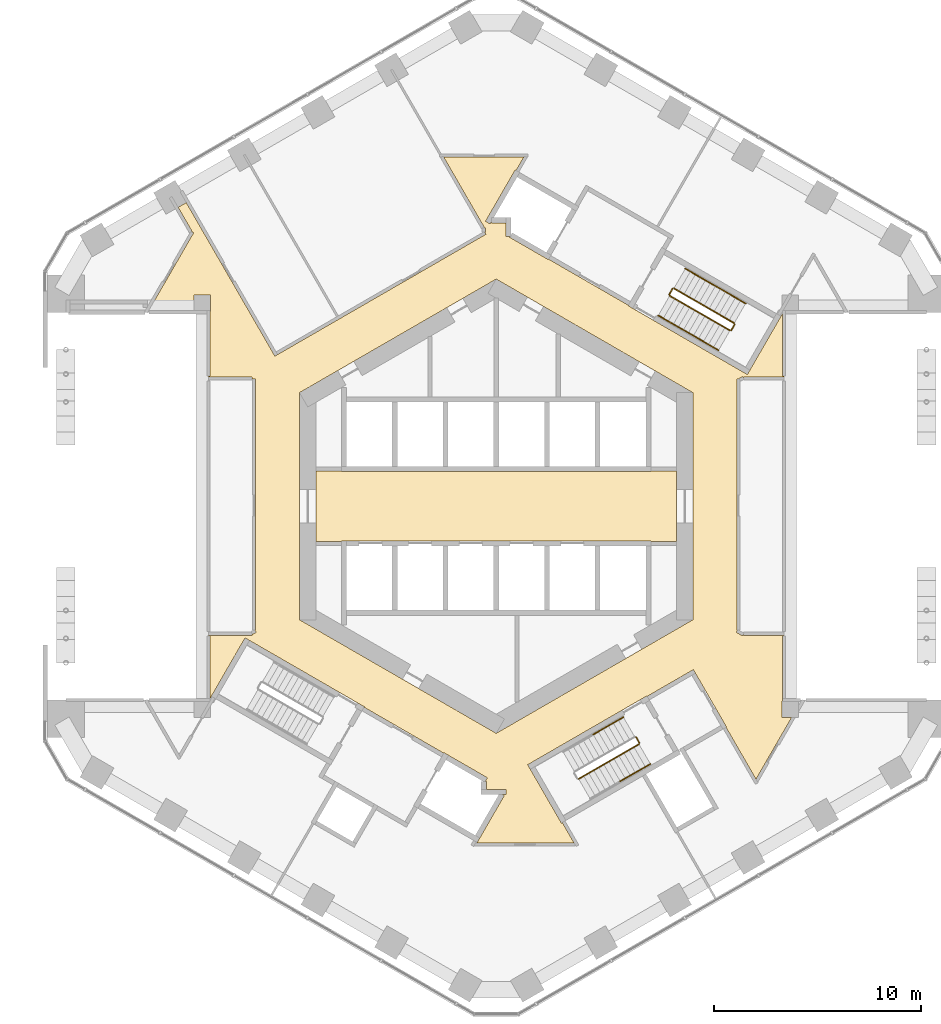
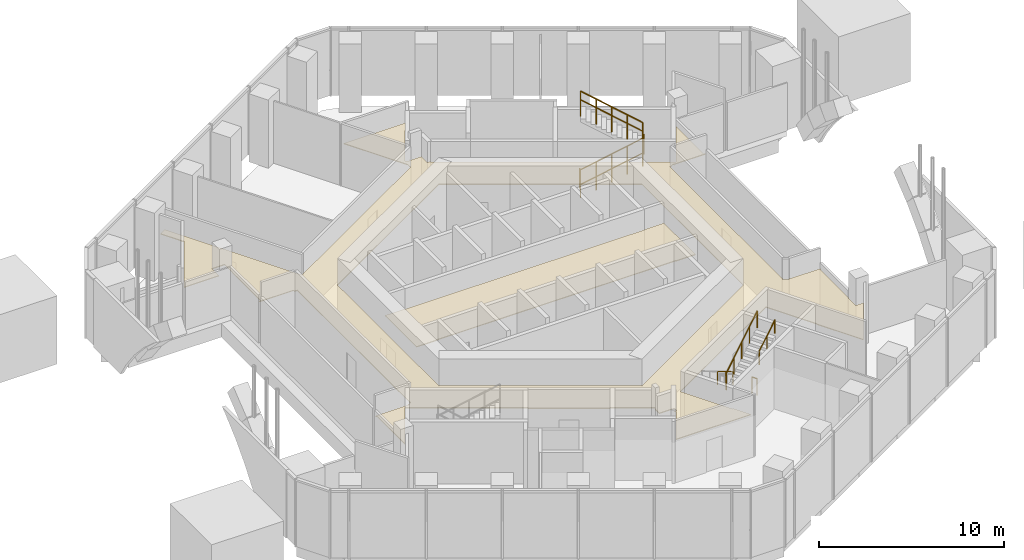
# One storey, part 14 of 14: 12 railings, 2 coverings.
"""IFC4 building model written with IfcOpenShell, lengths in metres."""

from ifc_helpers import new_model, si_unit, direction, frame, origin, origin_2d, place, context, subcontext, project, spatial, polyline, circle, outline, extrude, material, layer, layer_set, type_object, element, save


model = new_model("IFC4")

# Units and contexts
model_context = context("Model", 3, precision=1e-05, world=origin(), true_north=direction((0.0, 1.0)))
body_context = subcontext(model_context, "Body", "Model", "MODEL_VIEW")
ifc_project = project(units=[si_unit("LENGTHUNIT", "METRE"), si_unit("AREAUNIT", "SQUARE_METRE"), si_unit("VOLUMEUNIT", "CUBIC_METRE"), si_unit("PLANEANGLEUNIT", "RADIAN"), si_unit("MASSUNIT", "GRAM", prefix="KILO")], contexts=[model_context])

# Site, building, storey
site_placement = place(None, origin())
site = spatial("IfcSite", under=ifc_project, at=site_placement, CompositionType="ELEMENT")
building_placement = place(site_placement, origin())
building = spatial("IfcBuilding", under=site, at=building_placement, Name="Ayvan Gate Tower", CompositionType="ELEMENT")
storey_placement = place(building_placement, frame((0.0, 0.0, 11.5)))
storey = spatial("IfcBuildingStorey", under=building, at=storey_placement, Name="L02", CompositionType="ELEMENT", Elevation=11.5)

# Coverings
ifc_material_1 = material(Name="Plasterboard suspended ceiling")
ifc_layer = layer(ifc_material_1, 0.050048828125)
ifc_layer_set = layer_set([ifc_layer], Name="Plasterboard suspended ceiling")
covering_type = type_object("IfcCoveringType", Name="CT-SUSP-50", PredefinedType="CEILING", material=ifc_layer_set)
covering_1_placement = place(storey_placement, frame((0.0, 0.0, 2.699951171875)))
element("IfcCovering", 1, at=covering_1_placement, inside=storey, type_object=covering_type, Name="Ceiling Lift Lobby L02", PredefinedType="CEILING", context=body_context, shape_type="SweptSolid", body=[
    extrude(outline(polyline([(7.47509765625, -1.675048828125), (-7.47509765625, -1.675048828125), (-7.47509765625, -1.699951171875), (-8.699951171875, -1.699951171875), (-8.699951171875, 1.699951171875), (-7.47509765625, 1.699951171875), (-7.47509765625, 1.675048828125), (7.47509765625, 1.675048828125), (7.47509765625, 1.699951171875), (8.699951171875, 1.699951171875), (8.699951171875, -1.699951171875), (7.47509765625, -1.699951171875), (7.47509765625, -1.675048828125)])), origin(), (0.0, 0.0, 1.0), 0.050048828125),
])
covering_2_placement = place(storey_placement, frame((0.0, 0.0, 2.699951171875)))
element("IfcCovering", 2, at=covering_2_placement, inside=storey, type_object=covering_type, Name="Ceiling Gallery L02", PredefinedType="CEILING", context=body_context, shape_type="SweptSolid", body=[
    extrude(outline(polyline([(-14.617919921875, 13.20263671875), (-14.720458984375, 13.26171875), (-14.693115234375, 13.277587890625), (-15.36279296875, 14.4375), (-14.969970703125, 14.664306640625), (-10.690185546875, 7.25146484375), (-10.57763671875, 7.31640625), (-0.49755859375, 13.135986328125), (-0.556640625, 13.238525390625), (-0.52490234375, 13.238525390625), (-0.52490234375, 13.435791015625), (-0.556884765625, 13.435791015625), (-2.5341796875, 16.86083984375), (1.334228515625, 16.86083984375), (0.962158203125, 16.216552734375), (0.918701171875, 16.241455078125), (-0.511474609375, 13.76416015625), (-0.294921875, 13.63916015625), (-0.215576171875, 13.776611328125), (-0.215576171875, 13.68505859375), (0.47509765625, 13.68505859375), (0.47509765625, 13.03857421875), (0.672119140625, 13.03857421875), (0.645751953125, 12.992919921875), (2.518310546875, 11.91162109375), (2.53076171875, 11.933349609375), (6.384521484375, 9.70849609375), (6.3720703125, 9.686767578125), (6.588623046875, 9.561767578125), (12.131103515625, 6.36181640625), (12.24609375, 6.56103515625), (13.824951171875, 9.295654296875), (13.824951171875, 6.28076171875), (13.89990234375, 6.28076171875), (13.89990234375, 6.23583984375), (11.94580078125, 6.23583984375), (11.94580078125, 6.180908203125), (11.898193359375, 6.26318359375), (11.7275390625, 6.16455078125), (11.743408203125, 6.13720703125), (11.625, 6.13720703125), (11.625, -5.9873046875), (11.656494140625, -5.9873046875), (11.597412109375, -6.089599609375), (11.898193359375, -6.26318359375), (11.94580078125, -6.180908203125), (11.94580078125, -6.23583984375), (13.89990234375, -6.23583984375), (13.89990234375, -6.28076171875), (13.824951171875, -6.28076171875), (13.824951171875, -9.39794921875), (13.800048828125, -9.39794921875), (13.800048828125, -10.197998046875), (14.2744140625, -10.197998046875), (12.54931640625, -13.185791015625), (11.102294921875, -10.6796875), (11.123779296875, -10.667236328125), (9.623779296875, -8.069091796875), (9.52392578125, -7.89599609375), (7.2939453125, -9.183349609375), (7.281494140625, -9.16162109375), (1.522216796875, -12.48681640625), (1.647216796875, -12.703369140625), (3.147216796875, -15.30126953125), (3.190673828125, -15.2763671875), (3.759033203125, -16.260986328125), (-0.93017578125, -16.260986328125), (-0.803955078125, -16.042236328125), (0.386474609375, -13.980712890625), (0.30712890625, -13.93505859375), (0.465576171875, -13.93505859375), (0.465576171875, -13.68505859375), (-0.47509765625, -13.68505859375), (-0.47509765625, -13.28857421875), (-0.52783203125, -13.28857421875), (-0.42919921875, -13.117919921875), (-2.284423828125, -12.046630859375), (-2.518310546875, -11.91162109375), (-2.53076171875, -11.933349609375), (-6.384521484375, -9.70849609375), (-6.3720703125, -9.686767578125), (-11.897216796875, -6.49658203125), (-12.131103515625, -6.36181640625), (-13.824951171875, -9.295654296875), (-13.824951171875, -6.28076171875), (-13.89990234375, -6.28076171875), (-13.89990234375, -6.23583984375), (-11.7958984375, -6.23583984375), (-11.7958984375, -6.140625), (-11.768310546875, -6.188232421875), (-11.597412109375, -6.089599609375), (-11.656494140625, -5.9873046875), (-11.625, -5.9873046875), (-11.625, 6.13720703125), (-11.7958984375, 6.13720703125), (-11.7958984375, 6.23583984375), (-13.89990234375, 6.23583984375), (-13.89990234375, 6.28076171875), (-13.824951171875, 6.28076171875), (-13.824951171875, 9.39794921875), (-13.800048828125, 9.39794921875), (-13.800048828125, 10.197998046875), (-14.60009765625, 10.197998046875), (-14.60009765625, 9.44287109375), (-16.788818359375, 9.44287109375), (-14.617919921875, 13.20263671875)]), holes=[polyline([(2.808349609375, 9.34814453125), (0.0, 10.9697265625), (-2.808349609375, 9.34814453125), (-9.5, 5.48486328125), (-9.5, -5.48486328125), (-2.808349609375, -9.34814453125), (0.0, -10.9697265625), (2.808349609375, -9.34814453125), (9.5, -5.48486328125), (9.5, 5.48486328125), (2.808349609375, 9.34814453125)])]), origin(), (0.0, 0.0, 1.0), 0.050048828125),
])

# Railings
ifc_material_2 = material(Name="Stainless steel balustrade", Category="steel")
railing_type_1 = type_object("IfcRailingType", Name="RL-GUARD-1100", PredefinedType="GUARDRAIL", material=ifc_material_2)
railing_1_placement = place(storey_placement, frame((8.381103515625, 10.16650390625, 0.173095703125)))
element("IfcRailing", 3, at=railing_1_placement, inside=storey, type_object=railing_type_1, Name="L02 STS1 stair guard 1", PredefinedType="GUARDRAIL", context=body_context, shape_type="SweptSolid", body=[
    extrude(circle(Radius=0.02392578125, at=origin_2d()), frame((0.0, 0.0, 1.076171875), z_axis=(0.736667954249, -0.425288379326, 0.525785240943), x_axis=(0.499976138585, 0.866039179741, 0.0)), (0.0, 0.0, 1.0), 3.9501953125),
    extrude(circle(Radius=0.02099609375, at=origin_2d()), origin(), (0.0, 0.0, 1.0), 1.052001953125),
    extrude(circle(Radius=0.02099609375, at=origin_2d()), frame((0.7275390625, -0.419921875, 0.519287109375)), (0.0, 0.0, 1.0), 1.052001953125),
    extrude(circle(Radius=0.02099609375, at=origin_2d()), frame((1.455078125, -0.83984375, 1.03857421875)), (0.0, 0.0, 1.0), 1.052001953125),
    extrude(circle(Radius=0.02099609375, at=origin_2d()), frame((2.182373046875, -1.260009765625, 1.5576171875)), (0.0, 0.0, 1.0), 1.052001953125),
    extrude(circle(Radius=0.02099609375, at=origin_2d()), frame((2.909912109375, -1.679931640625, 2.076904296875)), (0.0, 0.0, 1.0), 1.052001953125),
])
railing_2_placement = place(storey_placement, frame((11.359130859375, 8.5048828125, 2.25)))
element("IfcRailing", 4, at=railing_2_placement, inside=storey, type_object=railing_type_1, Name="L02 STS1 stair guard 2", PredefinedType="GUARDRAIL", context=body_context, shape_type="SweptSolid", body=[
    extrude(circle(Radius=0.02392578125, at=origin_2d()), frame((0.0, 0.0, 1.076171875), z_axis=(0.500290723946, 0.86585748916, 0.0), x_axis=(-0.86585748916, 0.500290723946, 0.0)), (0.0, 0.0, 1.0), 0.309814453125),
    extrude(circle(Radius=0.02099609375, at=origin_2d()), origin(), (0.0, 0.0, 1.0), 1.052001953125),
    extrude(circle(Radius=0.02099609375, at=origin_2d()), frame((0.155029296875, 0.268310546875, 0.0)), (0.0, 0.0, 1.0), 1.052001953125),
])
railing_3_placement = place(storey_placement, frame((11.495849609375, 8.841552734375, 2.423095703125)))
element("IfcRailing", 5, at=railing_3_placement, inside=storey, type_object=railing_type_1, Name="L02 STS1 stair guard 3", PredefinedType="GUARDRAIL", context=body_context, shape_type="SweptSolid", body=[
    extrude(circle(Radius=0.02392578125, at=origin_2d()), frame((0.0, 0.0, 1.076171875), z_axis=(-0.736639687092, 0.425307743487, 0.525809180911), x_axis=(-0.500007602105, -0.866021014662, 0.0)), (0.0, 0.0, 1.0), 3.949951171875),
    extrude(circle(Radius=0.02099609375, at=origin_2d()), origin(), (0.0, 0.0, 1.0), 1.052001953125),
    extrude(circle(Radius=0.02099609375, at=origin_2d()), frame((-0.7275390625, 0.419921875, 0.519287109375)), (0.0, 0.0, 1.0), 1.052001953125),
    extrude(circle(Radius=0.02099609375, at=origin_2d()), frame((-1.454833984375, 0.83984375, 1.03857421875)), (0.0, 0.0, 1.0), 1.052001953125),
    extrude(circle(Radius=0.02099609375, at=origin_2d()), frame((-2.18212890625, 1.260009765625, 1.5576171875)), (0.0, 0.0, 1.0), 1.052001953125),
    extrude(circle(Radius=0.02099609375, at=origin_2d()), frame((-2.90966796875, 1.679931640625, 2.076904296875)), (0.0, 0.0, 1.0), 1.052001953125),
])
railing_4_placement = place(storey_placement, frame((8.36279296875, 10.23486328125, 0.0)))
element("IfcRailing", 6, at=railing_4_placement, inside=storey, type_object=railing_type_1, Name="L02 STS1 stair guard 4", PredefinedType="GUARDRAIL", context=body_context, shape_type="SweptSolid", body=[
    extrude(circle(Radius=0.02392578125, at=origin_2d()), frame((0.0, 0.0, 1.076171875), z_axis=(0.500290723946, 0.86585748916, 0.0), x_axis=(-0.86585748916, 0.500290723946, 0.0)), (0.0, 0.0, 1.0), 0.309814453125),
    extrude(circle(Radius=0.02099609375, at=origin_2d()), origin(), (0.0, 0.0, 1.0), 1.052001953125),
    extrude(circle(Radius=0.02099609375, at=origin_2d()), frame((0.155029296875, 0.268310546875, 0.0)), (0.0, 0.0, 1.0), 1.052001953125),
])
railing_5_placement = place(storey_placement, frame((3.987548828125, -13.176513671875, 2.423095703125)))
element("IfcRailing", 7, at=railing_5_placement, inside=storey, type_object=railing_type_1, Name="L02 STS3 stair guard 3", PredefinedType="GUARDRAIL", context=body_context, shape_type="SweptSolid", body=[
    extrude(circle(Radius=0.02392578125, at=origin_2d()), frame((0.0, 0.0, 1.076171875), z_axis=(0.736667954249, 0.425288379326, 0.525785240943), x_axis=(-0.499976138585, 0.866039179741, 0.0)), (0.0, 0.0, 1.0), 3.9501953125),
    extrude(circle(Radius=0.02099609375, at=origin_2d()), origin(), (0.0, 0.0, 1.0), 1.052001953125),
    extrude(circle(Radius=0.02099609375, at=origin_2d()), frame((0.7275390625, 0.419921875, 0.519287109375)), (0.0, 0.0, 1.0), 1.052001953125),
    extrude(circle(Radius=0.02099609375, at=origin_2d()), frame((1.455078125, 0.83984375, 1.03857421875)), (0.0, 0.0, 1.0), 1.052001953125),
    extrude(circle(Radius=0.02099609375, at=origin_2d()), frame((2.182373046875, 1.260009765625, 1.5576171875)), (0.0, 0.0, 1.0), 1.052001953125),
    extrude(circle(Radius=0.02099609375, at=origin_2d()), frame((2.909912109375, 1.679931640625, 2.076904296875)), (0.0, 0.0, 1.0), 1.052001953125),
])
railing_6_placement = place(storey_placement, frame((6.7607421875, -11.159912109375, 0.0)))
element("IfcRailing", 8, at=railing_6_placement, inside=storey, type_object=railing_type_1, Name="L02 STS3 stair guard 4", PredefinedType="GUARDRAIL", context=body_context, shape_type="SweptSolid", body=[
    extrude(circle(Radius=0.02392578125, at=origin_2d()), frame((0.0, 0.0, 1.076171875), z_axis=(0.500290723946, -0.86585748916, 0.0), x_axis=(0.86585748916, 0.500290723946, 0.0)), (0.0, 0.0, 1.0), 0.309814453125),
    extrude(circle(Radius=0.02099609375, at=origin_2d()), origin(), (0.0, 0.0, 1.0), 1.052001953125),
    extrude(circle(Radius=0.02099609375, at=origin_2d()), frame((0.155029296875, -0.268310546875, 0.0)), (0.0, 0.0, 1.0), 1.052001953125),
])
railing_type_2 = type_object("IfcRailingType", Name="RL-HANDRAIL-900", PredefinedType="HANDRAIL", material=ifc_material_2)
railing_7_placement = place(storey_placement, frame((7.8310546875, 9.2138671875, 0.173095703125)))
element("IfcRailing", 9, at=railing_7_placement, inside=storey, type_object=railing_type_2, Name="L02 STS1 stair handrail 1", PredefinedType="HANDRAIL", context=body_context, shape_type="SweptSolid", body=[
    extrude(circle(Radius=0.02392578125, at=origin_2d()), frame((0.0, 0.0, 0.8759765625), z_axis=(0.736700790218, -0.425333459587, 0.525702761879), x_axis=(0.499999171277, 0.866025882247, 0.0)), (0.0, 0.0, 1.0), 1.97509765625),
    extrude(circle(Radius=0.02099609375, at=origin_2d()), origin(), (0.0, 0.0, 1.0), 0.851806640625),
    extrude(circle(Radius=0.02099609375, at=origin_2d()), frame((0.7275390625, -0.419921875, 0.51904296875)), (0.0, 0.0, 1.0), 0.851806640625),
    extrude(circle(Radius=0.02099609375, at=origin_2d()), frame((1.455078125, -0.840087890625, 1.038330078125)), (0.0, 0.0, 1.0), 0.851806640625),
])
railing_8_placement = place(storey_placement, frame((9.2861328125, 8.373779296875, 1.21142578125)))
element("IfcRailing", 10, at=railing_8_placement, inside=storey, type_object=railing_type_2, Name="L02 STS1 stair handrail 2", PredefinedType="HANDRAIL", context=body_context, shape_type="SweptSolid", body=[
    extrude(circle(Radius=0.02392578125, at=origin_2d()), frame((0.0, 0.0, 0.8759765625), z_axis=(0.736635108394, -0.425243291303, 0.52586772128), x_axis=(0.499953100966, 0.866052479261, 0.0)), (0.0, 0.0, 1.0), 1.974853515625),
    extrude(circle(Radius=0.02099609375, at=origin_2d()), origin(), (0.0, 0.0, 1.0), 0.851806640625),
    extrude(circle(Radius=0.02099609375, at=origin_2d()), frame((0.7275390625, -0.419921875, 0.519287109375)), (0.0, 0.0, 1.0), 0.851806640625),
    extrude(circle(Radius=0.02099609375, at=origin_2d()), frame((1.454833984375, -0.83984375, 1.03857421875)), (0.0, 0.0, 1.0), 0.851806640625),
])
railing_9_placement = place(storey_placement, frame((12.0458984375, 9.794189453125, 2.423095703125)))
element("IfcRailing", 11, at=railing_9_placement, inside=storey, type_object=railing_type_2, Name="L02 STS1 stair handrail 3", PredefinedType="HANDRAIL", context=body_context, shape_type="SweptSolid", body=[
    extrude(circle(Radius=0.02392578125, at=origin_2d()), frame((0.0, 0.0, 0.8759765625), z_axis=(-0.736644260248, 0.425372193239, 0.525750635817), x_axis=(-0.500062097304, -0.865989548921, 0.0)), (0.0, 0.0, 1.0), 1.974853515625),
    extrude(circle(Radius=0.02099609375, at=origin_2d()), origin(), (0.0, 0.0, 1.0), 0.851806640625),
    extrude(circle(Radius=0.02099609375, at=origin_2d()), frame((-0.7275390625, 0.419921875, 0.51904296875)), (0.0, 0.0, 1.0), 0.851806640625),
    extrude(circle(Radius=0.02099609375, at=origin_2d()), frame((-1.454833984375, 0.840087890625, 1.038330078125)), (0.0, 0.0, 1.0), 0.851806640625),
])
railing_10_placement = place(storey_placement, frame((10.591064453125, 10.63427734375, 3.46142578125)))
element("IfcRailing", 12, at=railing_10_placement, inside=storey, type_object=railing_type_2, Name="L02 STS1 stair handrail 4", PredefinedType="HANDRAIL", context=body_context, shape_type="SweptSolid", body=[
    extrude(circle(Radius=0.02392578125, at=origin_2d()), frame((0.0, 0.0, 0.8759765625), z_axis=(-0.736691639328, 0.42520457035, 0.525819837869), x_axis=(-0.499890179513, -0.866088799389, 0.0)), (0.0, 0.0, 1.0), 1.97509765625),
    extrude(circle(Radius=0.02099609375, at=origin_2d()), origin(), (0.0, 0.0, 1.0), 0.851806640625),
    extrude(circle(Radius=0.02099609375, at=origin_2d()), frame((-0.7275390625, 0.419921875, 0.519287109375)), (0.0, 0.0, 1.0), 0.851806640625),
    extrude(circle(Radius=0.02099609375, at=origin_2d()), frame((-1.455078125, 0.83984375, 1.03857421875)), (0.0, 0.0, 1.0), 0.851806640625),
])
railing_11_placement = place(storey_placement, frame((6.142333984375, -10.18896484375, 0.173095703125)))
element("IfcRailing", 13, at=railing_11_placement, inside=storey, type_object=railing_type_2, Name="L02 STS3 stair handrail 1", PredefinedType="HANDRAIL", context=body_context, shape_type="SweptSolid", body=[
    extrude(circle(Radius=0.02392578125, at=origin_2d()), frame((0.0, 0.0, 0.8759765625), z_axis=(-0.736682993367, -0.425270934248, 0.525778280045), x_axis=(0.499953100966, -0.866052479261, 0.0)), (0.0, 0.0, 1.0), 1.974853515625),
    extrude(circle(Radius=0.02099609375, at=origin_2d()), origin(), (0.0, 0.0, 1.0), 0.851806640625),
    extrude(circle(Radius=0.02099609375, at=origin_2d()), frame((-0.7275390625, -0.419921875, 0.51904296875)), (0.0, 0.0, 1.0), 0.851806640625),
    extrude(circle(Radius=0.02099609375, at=origin_2d()), frame((-1.454833984375, -0.83984375, 1.038330078125)), (0.0, 0.0, 1.0), 0.851806640625),
])
railing_12_placement = place(storey_placement, frame((5.992431640625, -13.289306640625, 3.46142578125)))
element("IfcRailing", 14, at=railing_12_placement, inside=storey, type_object=railing_type_2, Name="L02 STS3 stair handrail 4", PredefinedType="HANDRAIL", context=body_context, shape_type="SweptSolid", body=[
    extrude(circle(Radius=0.02392578125, at=origin_2d()), frame((0.0, 0.0, 0.8759765625), z_axis=(0.736596382827, 0.42534454662, 0.525840075943), x_axis=(-0.500062097304, 0.865989548921, 0.0)), (0.0, 0.0, 1.0), 1.97509765625),
    extrude(circle(Radius=0.02099609375, at=origin_2d()), origin(), (0.0, 0.0, 1.0), 0.851806640625),
    extrude(circle(Radius=0.02099609375, at=origin_2d()), frame((0.7275390625, 0.419921875, 0.519287109375)), (0.0, 0.0, 1.0), 0.851806640625),
    extrude(circle(Radius=0.02099609375, at=origin_2d()), frame((1.454833984375, 0.840087890625, 1.03857421875)), (0.0, 0.0, 1.0), 0.851806640625),
])

save(model, "model.ifc")
